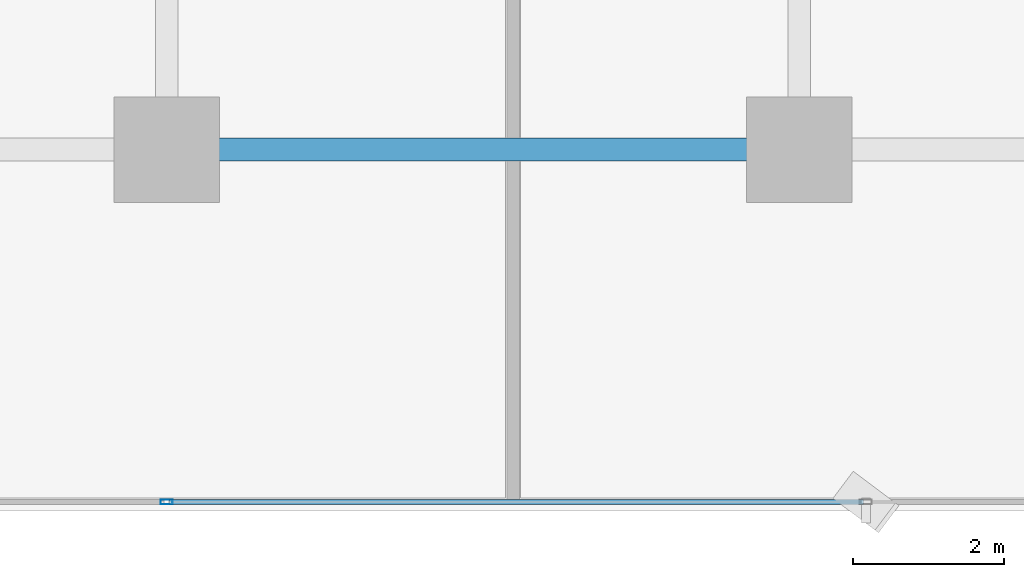
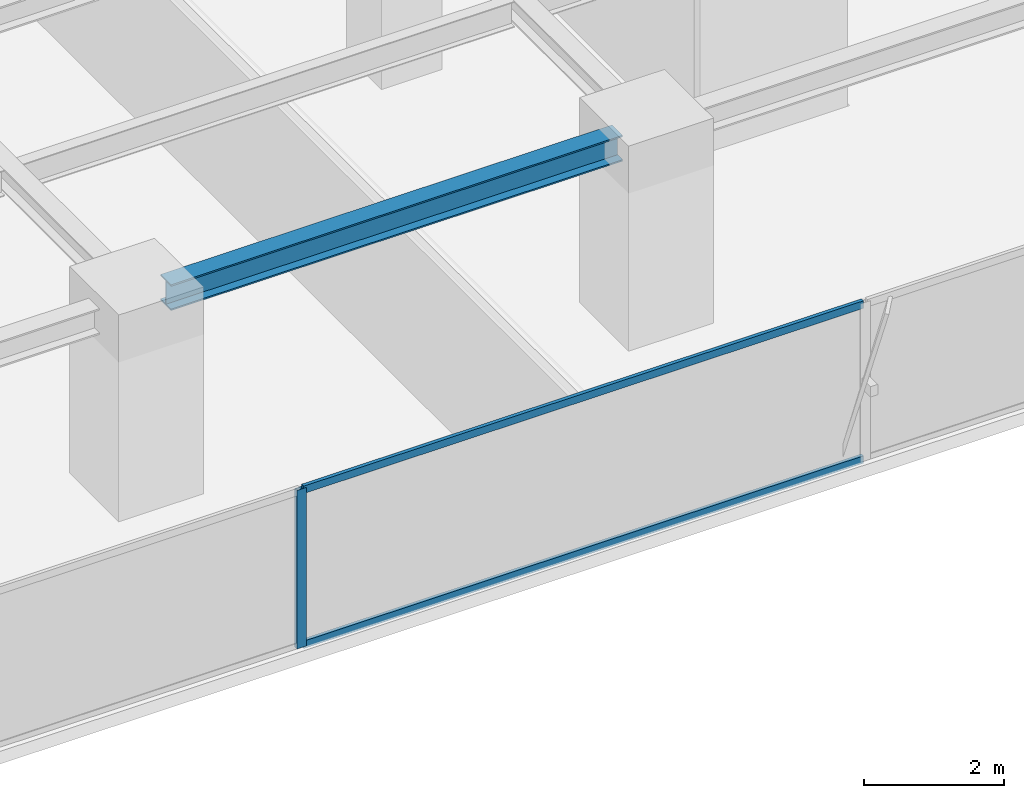
# One storey, part 5 of 27: 3 members, 1 beam, 1 element without a shape of its own.
"""IFC4 building model written with IfcOpenShell, lengths in metres."""

from ifc_helpers import new_model, si_unit, direction, frame, origin, origin_2d, place, context, subcontext, project, spatial, hollow_rectangle, i_section, extrude, source, transform, mapped, material, layer, layer_set, material_profile, profile_set, type_object, element, aggregate, save


model = new_model("IFC4")

# Units and contexts
model_context = context("Model", 3, precision=1e-05, world=origin(), true_north=direction((0.0, 1.0)))
body_context = subcontext(model_context, "Body", "Model", "MODEL_VIEW")
ifc_project = project(units=[si_unit("LENGTHUNIT", "METRE"), si_unit("AREAUNIT", "SQUARE_METRE"), si_unit("VOLUMEUNIT", "CUBIC_METRE"), si_unit("PLANEANGLEUNIT", "RADIAN"), si_unit("MASSUNIT", "GRAM", prefix="KILO")], contexts=[model_context])

# Site, building, storey
site_placement = place(None, origin())
site = spatial("IfcSite", under=ifc_project, at=site_placement, CompositionType="ELEMENT")
building_placement = place(site_placement, origin())
building = spatial("IfcBuilding", under=site, at=building_placement, Name="Sumidabori Civic Tower", CompositionType="ELEMENT")
storey_placement = place(building_placement, frame((0.0, 0.0, 160.39990234375)))
storey = spatial("IfcBuildingStorey", under=building, at=storey_placement, Name="L41", CompositionType="ELEMENT", Elevation=160.39990234375)

# Beam
ifc_material_1 = material(Name="Steel SN490", Category="steel")
ifc_material_profile_1 = material_profile(ifc_material_1, i_section(OverallWidth=0.300048828125, OverallDepth=0.449951171875, WebThickness=0.013916015625, FlangeThickness=0.02587890625, at=origin_2d()), Name="HE 450 B")
ifc_profile_set_1 = profile_set([ifc_material_profile_1], Name="Steel SN490")
beam_type = type_object("IfcBeamType", Name="BM-GIRD-450", PredefinedType="BEAM", material=ifc_profile_set_1)
shared_shape_1 = source(origin(), body_context, "Body", "SweptSolid", [
    extrude(i_section(OverallWidth=0.300048828125, OverallDepth=0.449951171875, WebThickness=0.013916015625, FlangeThickness=0.02587890625, at=origin_2d()), origin(), (0.0, 0.0, 1.0), 7.43994140625),
])
beam_placement = place(storey_placement, frame((0.47998046875, -18.0, 3.155029296875), z_axis=(1.0, 0.0, 0.0), x_axis=(0.0, 1.0, 0.0)))
element("IfcBeam", 1, at=beam_placement, inside=storey, type_object=beam_type, Name="Primary Girder L41 GX-03", PredefinedType="BEAM", context=body_context, shape_type="MappedRepresentation", body=[
    mapped(shared_shape_1, transform((0.0, 0.0, 0.0), x_axis=(1.0, 0.0, 0.0), y_axis=(0.0, 1.0, 0.0), z_axis=(0.0, 0.0, 1.0), scale=1.0)),
])

# Curtain wall, members
ifc_material_2 = material(Name="Anodised Bronze Aluminium AW-6063-T6", Category="aluminium")
ifc_layer = layer(ifc_material_2, 0.179931640625, Name="Anodised Bronze Aluminium AW-6063-T6")
ifc_layer_set = layer_set([ifc_layer], Name="Anodised Bronze Aluminium AW-6063-T6")
curtain_wall_type = type_object("IfcCurtainWallType", Name="CW-SYS-3", PredefinedType="NOTDEFINED", material=ifc_layer_set)
curtain_wall_placement = place(storey_placement, origin())
curtain_wall = element("IfcCurtainWall", 2, at=curtain_wall_placement, inside=storey, type_object=curtain_wall_type, Name="Curtain Wall CW:L41:R01", PredefinedType="NOTDEFINED")
ifc_material_profile_2 = material_profile(ifc_material_2, hollow_rectangle(XDim=0.06494140625, YDim=0.159912109375, WallThickness=0.0048828125, at=origin_2d()), Name="ALU MULLION 160x65")
ifc_profile_set_2 = profile_set([ifc_material_profile_2], Name="Anodised Bronze Aluminium AW-6063-T6")
member_type_1 = type_object("IfcMemberType", Name="CW-MUL-160", PredefinedType="MULLION", material=ifc_profile_set_2)
shared_shape_2 = source(origin(), body_context, "Body", "SweptSolid", [
    extrude(hollow_rectangle(XDim=0.06494140625, YDim=0.159912109375, WallThickness=0.0048828125, at=origin_2d()), origin(), (0.0, 0.0, 1.0), 2.760009765625),
])
member_1_placement = place(storey_placement, frame((0.0, -22.679931640625, 0.0), z_axis=(0.0, 0.0, 1.0), x_axis=(0.0, 1.0, 0.0)))
member_1 = element("IfcMember", 3, at=member_1_placement, type_object=member_type_1, Name="CW-3 mullion 3", PredefinedType="MULLION", context=body_context, shape_type="MappedRepresentation", body=[
    mapped(shared_shape_2, transform((0.0, 0.0, 0.0), x_axis=(1.0, 0.0, 0.0), y_axis=(0.0, 1.0, 0.0), z_axis=(0.0, 0.0, 1.0), scale=1.0)),
])
ifc_material_profile_3 = material_profile(ifc_material_2, hollow_rectangle(XDim=0.06005859375, YDim=0.1298828125, WallThickness=0.0048828125, at=origin_2d()), Name="ALU TRANSOM 130x60")
ifc_profile_set_3 = profile_set([ifc_material_profile_3], Name="Anodised Bronze Aluminium AW-6063-T6")
member_type_2 = type_object("IfcMemberType", Name="CW-TRN-130", PredefinedType="USERDEFINED", material=ifc_profile_set_3)
shared_shape_3 = source(origin(), body_context, "Body", "SweptSolid", [
    extrude(hollow_rectangle(XDim=0.06005859375, YDim=0.1298828125, WallThickness=0.0048828125, at=origin_2d()), origin(), (0.0, 0.0, 1.0), 9.219970703125),
])
member_2_placement = place(storey_placement, frame((0.032470703125, -22.679931640625, 0.030029296875), z_axis=(1.0, 0.0, 0.0), x_axis=(0.0, 1.0, 0.0)))
member_2 = element("IfcMember", 4, at=member_2_placement, type_object=member_type_2, Name="CW-3 transom 3.1", ObjectType="TRANSOM", PredefinedType="USERDEFINED", context=body_context, shape_type="MappedRepresentation", body=[
    mapped(shared_shape_3, transform((0.0, 0.0, 0.0), x_axis=(1.0, 0.0, 0.0), y_axis=(0.0, 1.0, 0.0), z_axis=(0.0, 0.0, 1.0), scale=1.0)),
])
member_3_placement = place(storey_placement, frame((0.032470703125, -22.679931640625, 2.72998046875), z_axis=(1.0, 0.0, 0.0), x_axis=(0.0, 1.0, 0.0)))
member_3 = element("IfcMember", 5, at=member_3_placement, type_object=member_type_2, Name="CW-3 transom 3.2", ObjectType="TRANSOM", PredefinedType="USERDEFINED", context=body_context, shape_type="MappedRepresentation", body=[
    mapped(shared_shape_3, transform((0.0, 0.0, 0.0), x_axis=(1.0, 0.0, 0.0), y_axis=(0.0, 1.0, 0.0), z_axis=(0.0, 0.0, 1.0), scale=1.0)),
])
aggregate(curtain_wall, [member_1, member_2, member_3])

save(model, "model.ifc")
